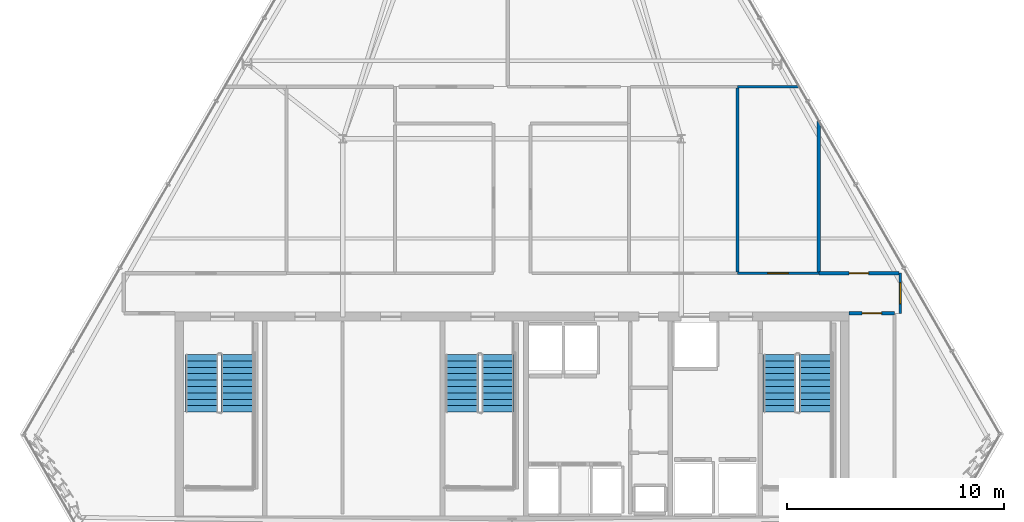
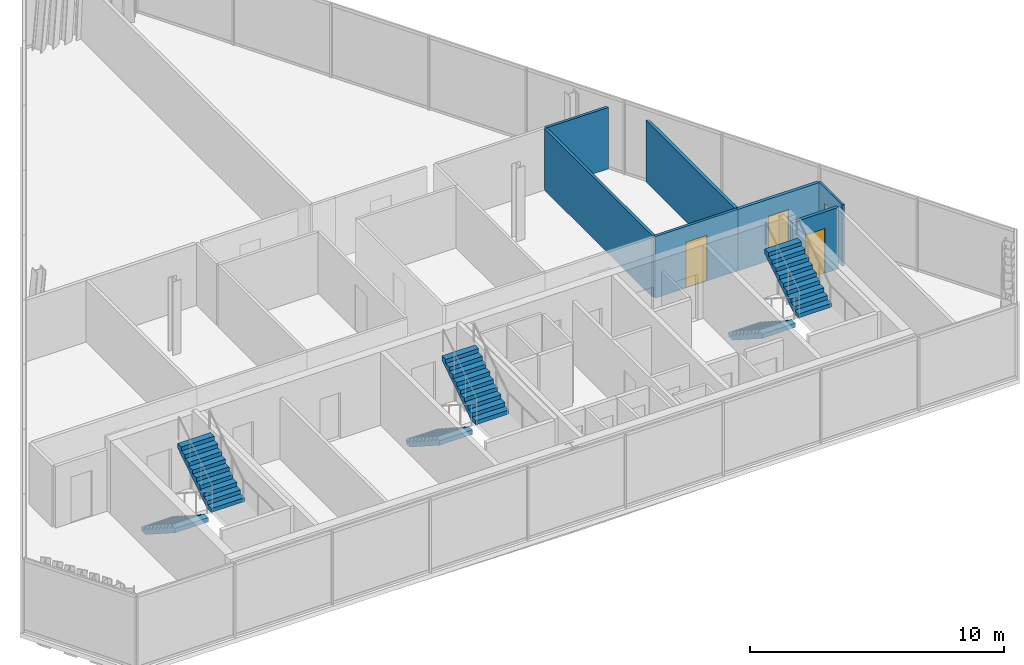
# One storey, part 32 of 35: 7 walls, 6 stair flights, 4 doors, 4 openings, 3 elements without a shape of their own.
"""IFC4 building model written with IfcOpenShell, lengths in metres."""

from ifc_helpers import new_model, si_unit, direction, frame, frame_2d, origin, place, context, subcontext, project, spatial, polyline, rectangle, outline, extrude, material, layer, layer_set, type_object, element, fill, aggregate, save


model = new_model("IFC4")

# Units and contexts
model_context = context("Model", 3, precision=1e-05, world=origin(), true_north=direction((0.0, 1.0)))
body_context = subcontext(model_context, "Body", "Model", "MODEL_VIEW")
ifc_project = project(units=[si_unit("LENGTHUNIT", "METRE"), si_unit("AREAUNIT", "SQUARE_METRE"), si_unit("VOLUMEUNIT", "CUBIC_METRE"), si_unit("PLANEANGLEUNIT", "RADIAN"), si_unit("MASSUNIT", "GRAM", prefix="KILO")], contexts=[model_context])

# Site, building, storey
site_placement = place(None, origin())
site = spatial("IfcSite", under=ifc_project, at=site_placement, CompositionType="ELEMENT")
building_placement = place(site_placement, origin())
building = spatial("IfcBuilding", under=site, at=building_placement, Name="Ndaravel Arena Tower", CompositionType="ELEMENT")
storey_placement = place(building_placement, frame((0.0, 0.0, 275.0)))
storey = spatial("IfcBuildingStorey", under=building, at=storey_placement, Name="L67", CompositionType="ELEMENT", Elevation=275.0)

# Wall, opening, door
ifc_material_1 = material(Name="Timber", Category="wood")
ifc_layer_1 = layer(ifc_material_1, 0.10009765625)
ifc_layer_set_1 = layer_set([ifc_layer_1], Name="Timber")
wall_type_1 = type_object("IfcWallType", Name="WALL-MOVABLE-100", PredefinedType="MOVABLE", material=ifc_layer_set_1)
wall_1_placement = place(storey_placement, frame((59.903076171875, 17.0, 0.0), z_axis=(0.0, 0.0, 1.0), x_axis=(0.0, -1.0, 0.0)))
wall_1 = element("IfcWall", 1, at=wall_1_placement, inside=storey, type_object=wall_type_1, Name="L67 Interior Partition 001", PredefinedType="MOVABLE", context=body_context, shape_type="SweptSolid", body=[
    extrude(rectangle(XDim=1.85009765625, YDim=0.10009765625, at=frame_2d((0.925048828125, 0.0))), origin(), (0.0, 0.0, 1.0), 2.950439453125),
])
opening_1_placement = place(wall_1_placement, frame((0.449951171875, 0.0, 0.0)))
opening_1 = element("IfcOpeningElement", 2, at=opening_1_placement, cuts=wall_1, Name="Opening ID-01", PredefinedType="OPENING", context=body_context, shape_type="SweptSolid", body=[
    extrude(rectangle(XDim=0.949951171875, YDim=2.199951171875, at=frame_2d((0.47509765625, 1.10009765625))), frame((0.0, 0.050048828125, 0.0), z_axis=(0.0, -1.0, 0.0), x_axis=(1.0, 0.0, 0.0)), (0.0, 0.0, 1.0), 0.10009765625),
])
ifc_material_2 = material(Name="Timber", Category="wood")
door_type_1 = type_object("IfcDoorType", Name="DT-03-OFFICE-950", OperationType="SINGLE_SWING_LEFT", PredefinedType="DOOR", material=ifc_material_2)
door_1_placement = place(opening_1_placement, origin())
door_1 = element("IfcDoor", 3, at=door_1_placement, inside=storey, type_object=door_type_1, Name="L67 Design Bookshop Boutique Door", OperationType="SINGLE_SWING_RIGHT", OverallHeight=2.199951171875, OverallWidth=0.949951171875, PredefinedType="DOOR", context=body_context, shape_type="SweptSolid", body=[
    extrude(rectangle(XDim=0.949951171875, YDim=2.199951171875, at=frame_2d((0.47509765625, 1.10009765625))), frame((0.0, 0.02490234375, 0.0), z_axis=(0.0, -1.0, 0.0), x_axis=(1.0, 0.0, 0.0)), (0.0, 0.0, 1.0), 0.050048828125),
])
fill(opening_1, door_1)

ifc_material_3 = material(Name="Gypsum", Category="gypsum")
ifc_layer_2 = layer(ifc_material_3, 0.125)
ifc_layer_set_2 = layer_set([ifc_layer_2], Name="Gypsum")
wall_type_2 = type_object("IfcWallType", Name="WALL-PART-125", PredefinedType="PARTITIONING", material=ifc_layer_set_2)
wall_2_placement = place(storey_placement, frame((52.39990234375, 17.0, 0.0), z_axis=(0.0, 0.0, 1.0), x_axis=(1.0, 0.0, 0.0)))
wall_2 = element("IfcWall", 4, at=wall_2_placement, inside=storey, type_object=wall_type_2, Name="L67 Interior Partition 019", PredefinedType="PARTITIONING", context=body_context, shape_type="SweptSolid", body=[
    extrude(rectangle(XDim=3.750244140625, YDim=0.125, at=frame_2d((1.875, 0.0))), origin(), (0.0, 0.0, 1.0), 2.950439453125),
])
opening_2_placement = place(wall_2_placement, frame((1.400146484375, 0.0, 0.0)))
opening_2 = element("IfcOpeningElement", 5, at=opening_2_placement, cuts=wall_2, Name="Opening ID-01", PredefinedType="OPENING", context=body_context, shape_type="SweptSolid", body=[
    extrude(rectangle(XDim=0.949951171875, YDim=2.199951171875, at=frame_2d((0.47509765625, 1.10009765625))), frame((0.0, 0.0625, 0.0), z_axis=(0.0, -1.0, 0.0), x_axis=(1.0, 0.0, 0.0)), (0.0, 0.0, 1.0), 0.125),
])
door_2_placement = place(opening_2_placement, origin())
door_2 = element("IfcDoor", 6, at=door_2_placement, inside=storey, type_object=door_type_1, Name="L67 Barista Galley 3 Door", OperationType="SINGLE_SWING_LEFT", OverallHeight=2.199951171875, OverallWidth=0.949951171875, PredefinedType="DOOR", context=body_context, shape_type="SweptSolid", body=[
    extrude(rectangle(XDim=0.949951171875, YDim=2.199951171875, at=frame_2d((0.47509765625, 1.10009765625))), frame((0.0, 0.02490234375, 0.0), z_axis=(0.0, -1.0, 0.0), x_axis=(1.0, 0.0, 0.0)), (0.0, 0.0, 1.0), 0.050048828125),
])
fill(opening_2, door_2)

# Walls
wall_3_placement = place(storey_placement, frame((52.39990234375, 25.60009765625, 0.0), z_axis=(0.0, 0.0, 1.0), x_axis=(1.0, 0.0, 0.0)))
element("IfcWall", 7, at=wall_3_placement, inside=storey, type_object=wall_type_2, Name="L67 Interior Partition 027", PredefinedType="PARTITIONING", context=body_context, shape_type="SweptSolid", body=[
    extrude(rectangle(XDim=2.847900390625, YDim=0.125, at=frame_2d((1.423828125, 0.0))), origin(), (0.0, 0.0, 1.0), 2.950439453125),
])
wall_4_placement = place(storey_placement, frame((52.39990234375, 17.06494140625, 0.0), z_axis=(0.0, 0.0, 1.0), x_axis=(0.0, 1.0, 0.0)))
element("IfcWall", 8, at=wall_4_placement, inside=storey, type_object=wall_type_2, Name="L67 Interior Partition 028", PredefinedType="PARTITIONING", context=body_context, shape_type="SweptSolid", body=[
    extrude(rectangle(XDim=8.469970703125, YDim=0.125, at=frame_2d((4.23486328125, 0.0))), origin(), (0.0, 0.0, 1.0), 2.950439453125),
])

# Wall, opening, door
ifc_material_4 = material(Name="Masonry", Category="masonry")
ifc_layer_3 = layer(ifc_material_4, 0.14990234375)
ifc_layer_set_3 = layer_set([ifc_layer_3], Name="Masonry")
wall_type_3 = type_object("IfcWallType", Name="WALL-WET-150", PredefinedType="PARTITIONING", material=ifc_layer_set_3)
wall_5_placement = place(storey_placement, frame((59.63623046875, 15.14990234375, 0.0), z_axis=(0.0, 0.0, 1.0), x_axis=(-1.0, 0.0, 0.0)))
wall_5 = element("IfcWall", 9, at=wall_5_placement, inside=storey, type_object=wall_type_3, Name="L67 Interior Partition 002", PredefinedType="PARTITIONING", context=body_context, shape_type="SweptSolid", body=[
    extrude(rectangle(XDim=2.086181640625, YDim=0.14990234375, at=frame_2d((1.04296875, 0.0))), origin(), (0.0, 0.0, 1.0), 2.950439453125),
])
opening_3_placement = place(wall_5_placement, frame((0.593017578125, 0.0, 0.0)))
opening_3 = element("IfcOpeningElement", 10, at=opening_3_placement, cuts=wall_5, Name="Opening WD-01", PredefinedType="OPENING", context=body_context, shape_type="SweptSolid", body=[
    extrude(rectangle(XDim=0.89990234375, YDim=2.14990234375, at=frame_2d((0.449951171875, 1.074951171875))), frame((0.0, 0.074951171875, 0.0), z_axis=(0.0, -1.0, 0.0), x_axis=(1.0, 0.0, 0.0)), (0.0, 0.0, 1.0), 0.14990234375),
])
ifc_material_5 = material(Name="Timber", Category="wood")
door_type_2 = type_object("IfcDoorType", Name="DT-05-WC-900", OperationType="SINGLE_SWING_LEFT", PredefinedType="DOOR", material=ifc_material_5)
door_3_placement = place(opening_3_placement, origin())
door_3 = element("IfcDoor", 11, at=door_3_placement, inside=storey, type_object=door_type_2, Name="L67 Male Staff & Visitor Restroom Door", OperationType="SINGLE_SWING_RIGHT", OverallHeight=2.14990234375, OverallWidth=0.89990234375, PredefinedType="DOOR", context=body_context, shape_type="SweptSolid", body=[
    extrude(rectangle(XDim=0.89990234375, YDim=2.14990234375, at=frame_2d((0.449951171875, 1.074951171875))), frame((0.0, 0.02490234375, 0.0), z_axis=(0.0, -1.0, 0.0), x_axis=(1.0, 0.0, 0.0)), (0.0, 0.0, 1.0), 0.050048828125),
])
fill(opening_3, door_3)

wall_6_placement = place(storey_placement, frame((56.150146484375, 17.0, 0.0), z_axis=(0.0, 0.0, 1.0), x_axis=(1.0, 0.0, 0.0)))
wall_6 = element("IfcWall", 12, at=wall_6_placement, inside=storey, type_object=wall_type_3, Name="L67 Interior Partition 020", PredefinedType="PARTITIONING", context=body_context, shape_type="SweptSolid", body=[
    extrude(rectangle(XDim=3.687744140625, YDim=0.14990234375, at=frame_2d((1.84375, 0.0))), origin(), (0.0, 0.0, 1.0), 2.950439453125),
])
opening_4_placement = place(wall_6_placement, frame((1.393798828125, 0.0, 0.0)))
opening_4 = element("IfcOpeningElement", 13, at=opening_4_placement, cuts=wall_6, Name="Opening WD-01", PredefinedType="OPENING", context=body_context, shape_type="SweptSolid", body=[
    extrude(rectangle(XDim=0.89990234375, YDim=2.14990234375, at=frame_2d((0.449951171875, 1.074951171875))), frame((0.0, 0.074951171875, 0.0), z_axis=(0.0, -1.0, 0.0), x_axis=(1.0, 0.0, 0.0)), (0.0, 0.0, 1.0), 0.14990234375),
])
door_4_placement = place(opening_4_placement, origin())
door_4 = element("IfcDoor", 14, at=door_4_placement, inside=storey, type_object=door_type_2, Name="L67 Female & Accessible Restroom Door", OperationType="SINGLE_SWING_LEFT", OverallHeight=2.14990234375, OverallWidth=0.89990234375, PredefinedType="DOOR", context=body_context, shape_type="SweptSolid", body=[
    extrude(rectangle(XDim=0.89990234375, YDim=2.14990234375, at=frame_2d((0.449951171875, 1.074951171875))), frame((0.0, 0.02490234375, 0.0), z_axis=(0.0, -1.0, 0.0), x_axis=(1.0, 0.0, 0.0)), (0.0, 0.0, 1.0), 0.050048828125),
])
fill(opening_4, door_4)

# Wall
wall_7_placement = place(storey_placement, frame((56.150146484375, 17.06494140625, 0.0), z_axis=(0.0, 0.0, 1.0), x_axis=(0.0, 1.0, 0.0)))
element("IfcWall", 15, at=wall_7_placement, inside=storey, type_object=wall_type_3, Name="L67 Interior Partition 022", PredefinedType="PARTITIONING", context=body_context, shape_type="SweptSolid", body=[
    extrude(rectangle(XDim=6.971923828125, YDim=0.14990234375, at=frame_2d((3.48583984375, 0.0))), origin(), (0.0, 0.0, 1.0), 2.950439453125),
])

# Stair, stair flights
ifc_material_6 = material(Name="Concrete C40/50", Category="concrete")
stair_type = type_object("IfcStairType", Name="STAIR-CORE-HT", PredefinedType="HALF_TURN_STAIR", material=ifc_material_6)
stair_1_placement = place(storey_placement, origin())
stair_1 = element("IfcStair", 16, at=stair_1_placement, inside=storey, type_object=stair_type, Name="L67 ST-1", PredefinedType="HALF_TURN_STAIR")
ifc_material_7 = material(Name="Concrete C40/50", Category="concrete")
stair_flight_type = type_object("IfcStairFlightType", Name="SFLIGHT-CORE-1680", PredefinedType="STRAIGHT", material=ifc_material_7)
stair_flight_1_placement = place(storey_placement, frame((27.699951171875, 13.25, 0.0), z_axis=(0.0, 0.0, 1.0), x_axis=(0.0, -1.0, 0.0)))
stair_flight_1 = element("IfcStairFlight", 17, at=stair_flight_1_placement, type_object=stair_flight_type, Name="ST-1 flight 1", NumberOfRisers=10, NumberOfTreads=9, PredefinedType="STRAIGHT", RiserHeight=0.19, TreadLength=0.295, context=body_context, shape_type="SweptSolid", body=[
    extrude(outline(polyline([(0.0, 0.0), (0.0, 0.18994140625), (0.294921875, 0.18994140625), (0.294921875, 0.3798828125), (0.590087890625, 0.3798828125), (0.590087890625, 0.570068359375), (0.885009765625, 0.570068359375), (0.885009765625, 0.760009765625), (1.179931640625, 0.760009765625), (1.179931640625, 0.949951171875), (1.47509765625, 0.949951171875), (1.47509765625, 1.139892578125), (1.77001953125, 1.139892578125), (1.77001953125, 1.330078125), (2.06494140625, 1.330078125), (2.06494140625, 1.52001953125), (2.360107421875, 1.52001953125), (2.360107421875, 1.7099609375), (2.655029296875, 1.7099609375), (2.655029296875, 1.89990234375), (2.655029296875, 1.49609375), (0.332275390625, 0.0), (0.0, 0.0)])), frame((0.0, 0.75, 0.0), z_axis=(0.0, -1.0, 0.0), x_axis=(1.0, 0.0, 0.0)), (0.0, 0.0, 1.0), 1.5),
])
stair_flight_2_placement = place(storey_placement, frame((29.340087890625, 10.594970703125, 1.89990234375), z_axis=(0.0, 0.0, 1.0), x_axis=(0.0, 1.0, 0.0)))
stair_flight_2 = element("IfcStairFlight", 18, at=stair_flight_2_placement, type_object=stair_flight_type, Name="ST-1 flight 2", NumberOfRisers=10, NumberOfTreads=9, PredefinedType="STRAIGHT", RiserHeight=0.19, TreadLength=0.295, context=body_context, shape_type="SweptSolid", body=[
    extrude(outline(polyline([(0.0, 0.0), (0.0, 0.18994140625), (0.294921875, 0.18994140625), (0.294921875, 0.3798828125), (0.590087890625, 0.3798828125), (0.590087890625, 0.570068359375), (0.885009765625, 0.570068359375), (0.885009765625, 0.760009765625), (1.179931640625, 0.760009765625), (1.179931640625, 0.949951171875), (1.47509765625, 0.949951171875), (1.47509765625, 1.139892578125), (1.77001953125, 1.139892578125), (1.77001953125, 1.330078125), (2.06494140625, 1.330078125), (2.06494140625, 1.52001953125), (2.360107421875, 1.52001953125), (2.360107421875, 1.7099609375), (2.655029296875, 1.7099609375), (2.655029296875, 1.89990234375), (2.655029296875, 1.49609375), (0.332275390625, 0.0), (0.0, 0.0)])), frame((0.0, 0.75, 0.0), z_axis=(0.0, -1.0, 0.0), x_axis=(1.0, 0.0, 0.0)), (0.0, 0.0, 1.0), 1.5),
])
aggregate(stair_1, [stair_flight_1, stair_flight_2])

stair_2_placement = place(storey_placement, origin())
stair_2 = element("IfcStair", 19, at=stair_2_placement, inside=storey, type_object=stair_type, Name="L67 ST-2", PredefinedType="HALF_TURN_STAIR")
stair_flight_3_placement = place(storey_placement, frame((39.699951171875, 13.25, 0.0), z_axis=(0.0, 0.0, 1.0), x_axis=(0.0, -1.0, 0.0)))
stair_flight_3 = element("IfcStairFlight", 20, at=stair_flight_3_placement, type_object=stair_flight_type, Name="ST-2 flight 1", NumberOfRisers=10, NumberOfTreads=9, PredefinedType="STRAIGHT", RiserHeight=0.19, TreadLength=0.295, context=body_context, shape_type="SweptSolid", body=[
    extrude(outline(polyline([(0.0, 0.0), (0.0, 0.18994140625), (0.294921875, 0.18994140625), (0.294921875, 0.3798828125), (0.590087890625, 0.3798828125), (0.590087890625, 0.570068359375), (0.885009765625, 0.570068359375), (0.885009765625, 0.760009765625), (1.179931640625, 0.760009765625), (1.179931640625, 0.949951171875), (1.47509765625, 0.949951171875), (1.47509765625, 1.139892578125), (1.77001953125, 1.139892578125), (1.77001953125, 1.330078125), (2.06494140625, 1.330078125), (2.06494140625, 1.52001953125), (2.360107421875, 1.52001953125), (2.360107421875, 1.7099609375), (2.655029296875, 1.7099609375), (2.655029296875, 1.89990234375), (2.655029296875, 1.49609375), (0.332275390625, 0.0), (0.0, 0.0)])), frame((0.0, 0.75, 0.0), z_axis=(0.0, -1.0, 0.0), x_axis=(1.0, 0.0, 0.0)), (0.0, 0.0, 1.0), 1.5),
])
stair_flight_4_placement = place(storey_placement, frame((41.340087890625, 10.594970703125, 1.89990234375), z_axis=(0.0, 0.0, 1.0), x_axis=(0.0, 1.0, 0.0)))
stair_flight_4 = element("IfcStairFlight", 21, at=stair_flight_4_placement, type_object=stair_flight_type, Name="ST-2 flight 2", NumberOfRisers=10, NumberOfTreads=9, PredefinedType="STRAIGHT", RiserHeight=0.19, TreadLength=0.295, context=body_context, shape_type="SweptSolid", body=[
    extrude(outline(polyline([(0.0, 0.0), (0.0, 0.18994140625), (0.294921875, 0.18994140625), (0.294921875, 0.3798828125), (0.590087890625, 0.3798828125), (0.590087890625, 0.570068359375), (0.885009765625, 0.570068359375), (0.885009765625, 0.760009765625), (1.179931640625, 0.760009765625), (1.179931640625, 0.949951171875), (1.47509765625, 0.949951171875), (1.47509765625, 1.139892578125), (1.77001953125, 1.139892578125), (1.77001953125, 1.330078125), (2.06494140625, 1.330078125), (2.06494140625, 1.52001953125), (2.360107421875, 1.52001953125), (2.360107421875, 1.7099609375), (2.655029296875, 1.7099609375), (2.655029296875, 1.89990234375), (2.655029296875, 1.49609375), (0.332275390625, 0.0), (0.0, 0.0)])), frame((0.0, 0.75, 0.0), z_axis=(0.0, -1.0, 0.0), x_axis=(1.0, 0.0, 0.0)), (0.0, 0.0, 1.0), 1.5),
])
aggregate(stair_2, [stair_flight_3, stair_flight_4])

stair_3_placement = place(storey_placement, origin())
stair_3 = element("IfcStair", 22, at=stair_3_placement, inside=storey, type_object=stair_type, Name="L67 ST-3", PredefinedType="HALF_TURN_STAIR")
stair_flight_5_placement = place(storey_placement, frame((54.35009765625, 13.25, 0.0), z_axis=(0.0, 0.0, 1.0), x_axis=(0.0, -1.0, 0.0)))
stair_flight_5 = element("IfcStairFlight", 23, at=stair_flight_5_placement, type_object=stair_flight_type, Name="ST-3 flight 1", NumberOfRisers=10, NumberOfTreads=9, PredefinedType="STRAIGHT", RiserHeight=0.19, TreadLength=0.295, context=body_context, shape_type="SweptSolid", body=[
    extrude(outline(polyline([(0.0, 0.0), (0.0, 0.18994140625), (0.294921875, 0.18994140625), (0.294921875, 0.3798828125), (0.590087890625, 0.3798828125), (0.590087890625, 0.570068359375), (0.885009765625, 0.570068359375), (0.885009765625, 0.760009765625), (1.179931640625, 0.760009765625), (1.179931640625, 0.949951171875), (1.47509765625, 0.949951171875), (1.47509765625, 1.139892578125), (1.77001953125, 1.139892578125), (1.77001953125, 1.330078125), (2.06494140625, 1.330078125), (2.06494140625, 1.52001953125), (2.360107421875, 1.52001953125), (2.360107421875, 1.7099609375), (2.655029296875, 1.7099609375), (2.655029296875, 1.89990234375), (2.655029296875, 1.49609375), (0.332275390625, 0.0), (0.0, 0.0)])), frame((0.0, 0.75, 0.0), z_axis=(0.0, -1.0, 0.0), x_axis=(1.0, 0.0, 0.0)), (0.0, 0.0, 1.0), 1.5),
])
stair_flight_6_placement = place(storey_placement, frame((55.989990234375, 10.594970703125, 1.89990234375), z_axis=(0.0, 0.0, 1.0), x_axis=(0.0, 1.0, 0.0)))
stair_flight_6 = element("IfcStairFlight", 24, at=stair_flight_6_placement, type_object=stair_flight_type, Name="ST-3 flight 2", NumberOfRisers=10, NumberOfTreads=9, PredefinedType="STRAIGHT", RiserHeight=0.19, TreadLength=0.295, context=body_context, shape_type="SweptSolid", body=[
    extrude(outline(polyline([(0.0, 0.0), (0.0, 0.18994140625), (0.294921875, 0.18994140625), (0.294921875, 0.3798828125), (0.590087890625, 0.3798828125), (0.590087890625, 0.570068359375), (0.885009765625, 0.570068359375), (0.885009765625, 0.760009765625), (1.179931640625, 0.760009765625), (1.179931640625, 0.949951171875), (1.47509765625, 0.949951171875), (1.47509765625, 1.139892578125), (1.77001953125, 1.139892578125), (1.77001953125, 1.330078125), (2.06494140625, 1.330078125), (2.06494140625, 1.52001953125), (2.360107421875, 1.52001953125), (2.360107421875, 1.7099609375), (2.655029296875, 1.7099609375), (2.655029296875, 1.89990234375), (2.655029296875, 1.49609375), (0.332275390625, 0.0), (0.0, 0.0)])), frame((0.0, 0.75, 0.0), z_axis=(0.0, -1.0, 0.0), x_axis=(1.0, 0.0, 0.0)), (0.0, 0.0, 1.0), 1.5),
])
aggregate(stair_3, [stair_flight_5, stair_flight_6])

save(model, "model.ifc")
